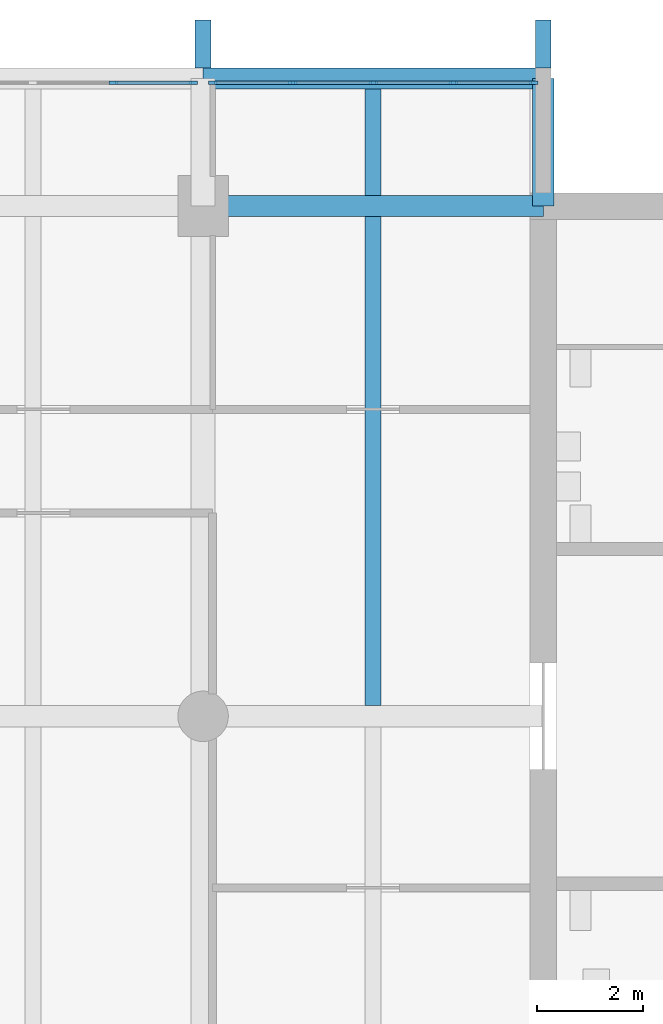
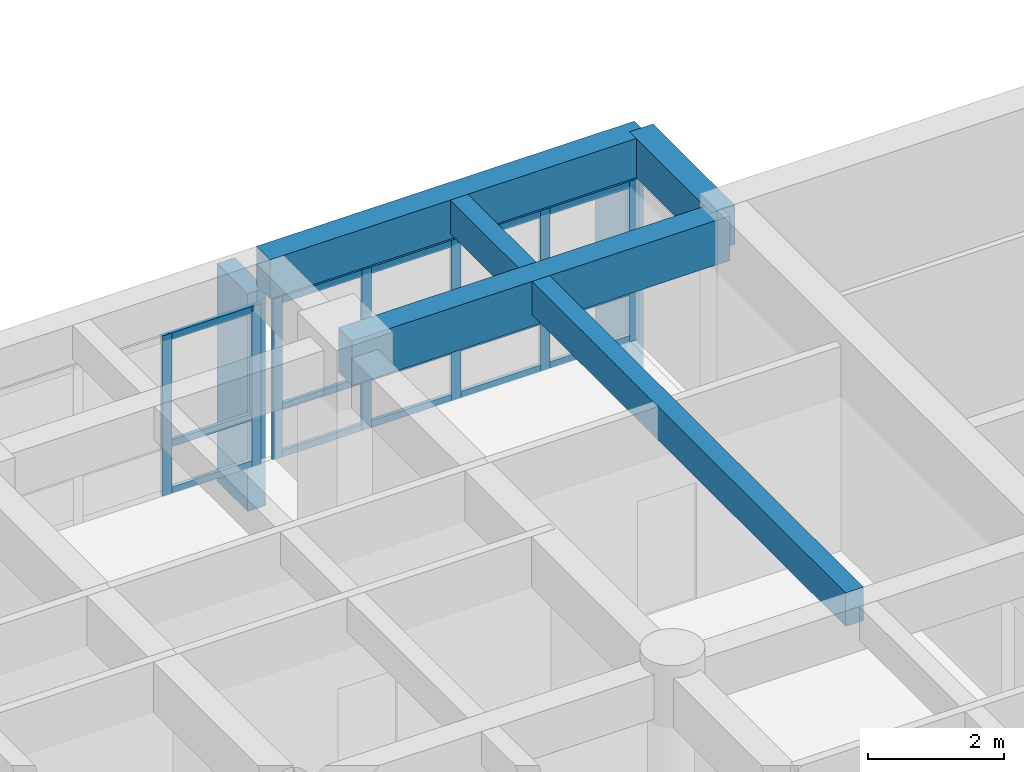
# One storey, part 6 of 15: 24 members, 5 beams, 2 elements without a shape of their own.
"""IFC4 building model written with IfcOpenShell, lengths in metres."""

import ifcopenshell
import ifcopenshell.guid

model = None  # the IFC model being written
_history = None  # IfcOwnerHistory: only IFC2X3 demands one
_inside = {}  # id of a spatial element -> (the spatial element, [elements in it])
_under = {}  # id of a project, library or spatial element -> (it, [spatial elements below it])
_declared = {}  # id of a project -> (the project, [libraries it declares])
_typed = {}  # id of a type object -> (the type object, [elements of that type])
_made_of = {}  # id of a material, layer set ... -> (it, [elements and type objects made of it])


def new_model(schema):
    """Start an empty IFC model of exactly this schema.

    Asked for "IFC4X3", IfcOpenShell would pick the latest addendum, in which some entities
    have other attributes; the version numbers below select the first issue.
    IFC2X3 requires an IfcOwnerHistory on every rooted entity: one is made here for all.
    """
    global model, _history
    if schema == "IFC4X3":
        model = ifcopenshell.file(schema_version=(4, 3, 0, 0))
    else:
        model = ifcopenshell.file(schema=schema)
    _inside.clear()
    _under.clear()
    _declared.clear()
    _typed.clear()
    _made_of.clear()
    _history = None
    if model.schema == "IFC2X3":
        org = make("IfcOrganization", Name="unknown")
        user = make(
            "IfcPersonAndOrganization",
            ThePerson=make("IfcPerson", FamilyName="unknown"),
            TheOrganization=org,
        )
        app = make(
            "IfcApplication",
            ApplicationDeveloper=org,
            Version="unknown",
            ApplicationFullName="unknown",
            ApplicationIdentifier="unknown",
        )
        _history = make(
            "IfcOwnerHistory",
            OwningUser=user,
            OwningApplication=app,
            ChangeAction="ADDED",
            CreationDate=0,
        )
    return model


def make(cls, **values):
    """One entity of the class cls with the attributes given. An attribute that is None is left unset."""
    return model.create_entity(
        cls, **{name: value for name, value in values.items() if value is not None}
    )


def rooted(cls, **values):
    """An entity with a GlobalId (a new one), such as an element, a storey or a relation."""
    return make(cls, GlobalId=ifcopenshell.guid.new(), OwnerHistory=_history, **values)


def si_unit(unit_type, name, prefix=None):
    """IfcSIUnit, for example si_unit("LENGTHUNIT", "METRE", prefix="MILLI")."""
    return make("IfcSIUnit", UnitType=unit_type, Prefix=prefix, Name=name)


def assignment(units):
    """IfcUnitAssignment: the units of a project."""
    return None if units is None else make("IfcUnitAssignment", Units=units)


def point(xyz):
    """IfcCartesianPoint."""
    return None if xyz is None else make("IfcCartesianPoint", Coordinates=xyz)


def direction(xyz):
    """IfcDirection."""
    return None if xyz is None else make("IfcDirection", DirectionRatios=xyz)


def frame(location, z_axis=None, x_axis=None):
    """IfcAxis2Placement3D, a coordinate frame: its origin and axes. An axis left out is left unset."""
    return make(
        "IfcAxis2Placement3D",
        Location=point(location),
        Axis=direction(z_axis),
        RefDirection=direction(x_axis),
    )


def frame_2d(location, x_axis=None):
    """IfcAxis2Placement2D, a coordinate frame in the plane: its origin and x axis."""
    return make(
        "IfcAxis2Placement2D", Location=point(location), RefDirection=direction(x_axis)
    )


def origin():
    """The frame at (0, 0, 0) with its axes left unset."""
    return frame((0.0, 0.0, 0.0))


def origin_2d():
    """The frame at (0, 0) in the plane with its x axis left unset."""
    return frame_2d((0.0, 0.0))


def place(relative_to, where):
    """IfcLocalPlacement: puts the frame where relative to a parent placement (None: the world)."""
    return make(
        "IfcLocalPlacement", PlacementRelTo=relative_to, RelativePlacement=where
    )


def context(
    kind, dimensions, precision=None, world=None, true_north=None, identifier=None
):
    """IfcGeometricRepresentationContext, for example the 3D "Model" context."""
    return make(
        "IfcGeometricRepresentationContext",
        ContextIdentifier=identifier,
        ContextType=kind,
        CoordinateSpaceDimension=dimensions,
        Precision=precision,
        WorldCoordinateSystem=world,
        TrueNorth=true_north,
    )


def subcontext(parent, identifier, kind, view, scale=None):
    """IfcGeometricRepresentationSubContext, for example "Body" below "Model"."""
    return make(
        "IfcGeometricRepresentationSubContext",
        ContextIdentifier=identifier,
        ContextType=kind,
        ParentContext=parent,
        TargetScale=scale,
        TargetView=view,
    )


def project(units=None, contexts=None):
    """IfcProject with its units and contexts."""
    return rooted(
        "IfcProject",
        Name="project",
        RepresentationContexts=contexts,
        UnitsInContext=assignment(units),
    )


def spatial(cls, under=None, at=None, **own):
    """A site, building, storey or space (cls), placed at a placement, below another one or the project."""
    s = rooted(cls, ObjectPlacement=at, **own)
    if under is not None:
        _under.setdefault(under.id(), (under, []))[1].append(s)
    return s


def profile(cls, at=None, kind="AREA", **sizes):
    """A parametric profile (cls). Its sizes go by their IFC names, for example OverallWidth=200.0."""
    return make(cls, ProfileType=kind, Position=at, **sizes)


def rectangle(**sizes):
    """IfcRectangleProfileDef."""
    return profile("IfcRectangleProfileDef", **sizes)


def extrude(swept, where, along, depth):
    """IfcExtrudedAreaSolid: the profile swept, set in the frame where, extruded along a direction by depth."""
    return make(
        "IfcExtrudedAreaSolid",
        SweptArea=swept,
        Position=where,
        ExtrudedDirection=direction(along),
        Depth=depth,
    )


def shape(context_of_items, identifier, shape_type, items):
    """IfcShapeRepresentation: the items that make up one representation, for example the "Body"."""
    return make(
        "IfcShapeRepresentation",
        ContextOfItems=context_of_items,
        RepresentationIdentifier=identifier,
        RepresentationType=shape_type,
        Items=items,
    )


def material(Name=None, Category=None):
    """IfcMaterial."""
    return make("IfcMaterial", Name=Name, Category=Category)


def layer(
    of_material, thickness, ventilated=None, Name=None, Category=None, Priority=None
):
    """IfcMaterialLayer: one layer of a wall or slab, of a material (None: an air gap)."""
    return make(
        "IfcMaterialLayer",
        Material=of_material,
        LayerThickness=thickness,
        IsVentilated=ventilated,
        Name=Name,
        Category=Category,
        Priority=Priority,
    )


def layer_set(layers, Name=None):
    """IfcMaterialLayerSet."""
    return make("IfcMaterialLayerSet", MaterialLayers=layers, LayerSetName=Name)


def material_profile(
    of_material, cross_section, Name=None, Category=None, Priority=None
):
    """IfcMaterialProfile: a cross section and its material."""
    return make(
        "IfcMaterialProfile",
        Name=Name,
        Material=of_material,
        Profile=cross_section,
        Priority=Priority,
        Category=Category,
    )


def profile_set(profiles, Name=None, composite=None):
    """IfcMaterialProfileSet."""
    return make(
        "IfcMaterialProfileSet",
        Name=Name,
        MaterialProfiles=profiles,
        CompositeProfile=composite,
    )


def made_of(thing, what):
    """Note that an element or type object is made of a material, layer set ...; save() writes the relation."""
    if what is not None:
        _made_of.setdefault(what.id(), (what, []))[1].append(thing)
    return thing


def type_object(cls, material=None, **own):
    """A type object (cls), such as IfcWallType, which elements share."""
    return made_of(rooted(cls, **own), material)


def element(
    cls,
    number,
    at=None,
    inside=None,
    cuts=None,
    type_object=None,
    material=None,
    context=None,
    identifier="Body",
    shape_type=None,
    held_by="IfcProductDefinitionShape",
    body=None,
    shapes=None,
    **own,
):
    """One element of the class cls, such as IfcWall. Its Tag is "e" and its number.

    at: its placement. inside: the storey or other place that contains it. cuts: it is an
    opening in that element (IfcRelVoidsElement). A single representation is given by context,
    identifier, shape_type and body (its items); several are given by shapes. held_by: the class
    of the entity that holds the representations. save() writes the other relations.
    """
    e = rooted(cls, Tag="e%d" % number, ObjectPlacement=at, **own)
    if body is not None:
        shapes = [shape(context, identifier, shape_type, body)]
    if shapes is not None:
        e.Representation = make(held_by, Representations=shapes)
    if inside is not None:
        _inside.setdefault(inside.id(), (inside, []))[1].append(e)
    if cuts is not None:
        rooted(
            "IfcRelVoidsElement", RelatingBuildingElement=cuts, RelatedOpeningElement=e
        )
    if type_object is not None:
        _typed.setdefault(type_object.id(), (type_object, []))[1].append(e)
    return made_of(e, material)


def aggregate(whole, parts):
    """IfcRelAggregates: a whole, such as a stair, and the parts it consists of."""
    return rooted("IfcRelAggregates", RelatingObject=whole, RelatedObjects=parts)


def save(model, path):
    """Write the relations noted so far, then the file.

    IfcRelAggregates (storeys below a building ...), IfcRelContainedInSpatialStructure (elements
    in a storey), IfcRelDefinesByType, IfcRelAssociatesMaterial and IfcRelDeclares: one each for
    every whole, place, type object, material and project.
    """
    for whole, parts in _under.values():
        aggregate(whole, parts)
    for where, things in _inside.values():
        rooted(
            "IfcRelContainedInSpatialStructure",
            RelatedElements=things,
            RelatingStructure=where,
        )
    for kind, things in _typed.values():
        rooted("IfcRelDefinesByType", RelatedObjects=things, RelatingType=kind)
    for what, things in _made_of.values():
        rooted("IfcRelAssociatesMaterial", RelatedObjects=things, RelatingMaterial=what)
    for by, libraries in _declared.values():
        rooted("IfcRelDeclares", RelatingContext=by, RelatedDefinitions=libraries)
    model.write(path)


model = new_model("IFC4")

# Units and contexts
model_context = context("Model", 3, precision=1e-05, world=origin(), true_north=direction((0.0, 1.0)))
body_context = subcontext(model_context, "Body", "Model", "MODEL_VIEW")
ifc_project = project(units=[si_unit("LENGTHUNIT", "METRE"), si_unit("AREAUNIT", "SQUARE_METRE"), si_unit("VOLUMEUNIT", "CUBIC_METRE"), si_unit("PLANEANGLEUNIT", "RADIAN"), si_unit("MASSUNIT", "GRAM", prefix="KILO")], contexts=[model_context])

# Site, building, storey
site_placement = place(None, origin())
site = spatial("IfcSite", under=ifc_project, at=site_placement, CompositionType="ELEMENT")
building_placement = place(site_placement, origin())
building = spatial("IfcBuilding", under=site, at=building_placement, Name="Fogon Plaza Fire Station and Headquarters Tower", CompositionType="ELEMENT")
storey_placement = place(building_placement, frame((0.0, 0.0, 40.5)))
storey = spatial("IfcBuildingStorey", under=building, at=storey_placement, Name="L10", CompositionType="ELEMENT", Elevation=40.5)

# Beams
ifc_material_1 = material(Name="Concrete C40", Category="concrete")
ifc_material_profile_1 = material_profile(ifc_material_1, rectangle(XDim=0.39990234375, YDim=0.699951171875, at=origin_2d()), Name="RC 400x700")
ifc_profile_set_1 = profile_set([ifc_material_profile_1], Name="Concrete C40")
beam_type_1 = type_object("IfcBeamType", Name="BEAM RC 400x700", PredefinedType="BEAM", material=ifc_profile_set_1)
beam_1_placement = place(storey_placement, frame((57.60009765625, 55.199951171875, 3.330078125), z_axis=(1.0, 0.0, 0.0), x_axis=(0.0, 1.0, 0.0)))
element("IfcBeam", 1, at=beam_1_placement, inside=storey, type_object=beam_type_1, Name="beam-L10-050", PredefinedType="BEAM", context=body_context, shape_type="SweptSolid", body=[
    extrude(rectangle(XDim=0.39990234375, YDim=0.699951171875, at=origin_2d()), origin(), (0.0, 0.0, 1.0), 6.39990234375),
])
ifc_material_2 = material(Name="Concrete C40", Category="concrete")
ifc_material_profile_2 = material_profile(ifc_material_2, rectangle(XDim=0.39990234375, YDim=0.699951171875, at=origin_2d()), Name="RC 400x700")
ifc_profile_set_2 = profile_set([ifc_material_profile_2], Name="Concrete C40")
beam_type_2 = type_object("IfcBeamType", Name="BEAM RC 400x700 SPAN 0.0 TO 3.0 M", PredefinedType="BEAM", material=ifc_profile_set_2)
beam_2_placement = place(storey_placement, frame((64.0, 52.800048828125, 3.330078125), z_axis=(0.0, 1.0, 0.0), x_axis=(-1.0, 0.0, 0.0)))
element("IfcBeam", 2, at=beam_2_placement, inside=storey, type_object=beam_type_2, Name="beam-L10-054", PredefinedType="BEAM", context=body_context, shape_type="SweptSolid", body=[
    extrude(rectangle(XDim=0.39990234375, YDim=0.699951171875, at=origin_2d()), origin(), (0.0, 0.0, 1.0), 2.39990234375),
])
ifc_material_3 = material(Name="Concrete C40", Category="concrete")
ifc_material_profile_3 = material_profile(ifc_material_3, rectangle(XDim=0.39990234375, YDim=0.800048828125, at=origin_2d()), Name="RC 400x800")
ifc_profile_set_3 = profile_set([ifc_material_profile_3], Name="Concrete C40")
beam_type_3 = type_object("IfcBeamType", Name="BEAM RC 400x800", PredefinedType="BEAM", material=ifc_profile_set_3)
beam_3_placement = place(storey_placement, frame((57.60009765625, 52.800048828125, 3.280029296875), z_axis=(1.0, 0.0, 0.0), x_axis=(0.0, 1.0, 0.0)))
element("IfcBeam", 3, at=beam_3_placement, inside=storey, type_object=beam_type_3, Name="beam-L10-038", PredefinedType="BEAM", context=body_context, shape_type="SweptSolid", body=[
    extrude(rectangle(XDim=0.39990234375, YDim=0.800048828125, at=origin_2d()), origin(), (0.0, 0.0, 1.0), 6.39990234375),
])

# Curtain wall, members
ifc_material_4 = material(Name="Aluminium and glass", Category="aluminium")
ifc_layer = layer(ifc_material_4, 0.14990234375)
ifc_layer_set = layer_set([ifc_layer], Name="Aluminium and glass")
curtain_wall_type = type_object("IfcCurtainWallType", Name="Unitised Curtain Wall Run 6100x2880", PredefinedType="NOTDEFINED", material=ifc_layer_set)
curtain_wall_1_placement = place(storey_placement, origin())
curtain_wall_1 = element("IfcCurtainWall", 4, at=curtain_wall_1_placement, inside=storey, type_object=curtain_wall_type, Name="CW-6100x2880 N5 L10", PredefinedType="NOTDEFINED")
ifc_material_5 = material(Name="Aluminium", Category="aluminium")
ifc_material_profile_4 = material_profile(ifc_material_5, rectangle(XDim=0.06005859375, YDim=0.159912109375, at=origin_2d()), Name="Curtain Wall Mullion 60x160")
ifc_profile_set_4 = profile_set([ifc_material_profile_4], Name="Aluminium")
member_type_1 = type_object("IfcMemberType", Name="Curtain Wall Mullion 60x160", PredefinedType="MULLION", material=ifc_profile_set_4)
member_1_placement = place(storey_placement, frame((55.909912109375, 55.1201171875, 0.0), z_axis=(0.0, 0.0, 1.0), x_axis=(0.0, 1.0, 0.0)))
member_1 = element("IfcMember", 5, at=member_1_placement, type_object=member_type_1, Name="CW-6100x2880 mullion 4", PredefinedType="MULLION", context=body_context, shape_type="SweptSolid", body=[
    extrude(rectangle(XDim=0.06005859375, YDim=0.159912109375, at=origin_2d()), origin(), (0.0, 0.0, 1.0), 2.8798828125),
])
member_2_placement = place(storey_placement, frame((57.419921875, 55.1201171875, 0.0), z_axis=(0.0, 0.0, 1.0), x_axis=(0.0, 1.0, 0.0)))
member_2 = element("IfcMember", 6, at=member_2_placement, type_object=member_type_1, Name="CW-6100x2880 mullion 5", PredefinedType="MULLION", context=body_context, shape_type="SweptSolid", body=[
    extrude(rectangle(XDim=0.06005859375, YDim=0.159912109375, at=origin_2d()), origin(), (0.0, 0.0, 1.0), 2.8798828125),
])

curtain_wall_2_placement = place(storey_placement, origin())
curtain_wall_2 = element("IfcCurtainWall", 7, at=curtain_wall_2_placement, inside=storey, type_object=curtain_wall_type, Name="CW-6100x2880 N6 L10", PredefinedType="NOTDEFINED")
member_3_placement = place(storey_placement, frame((57.780029296875, 55.1201171875, 0.0), z_axis=(0.0, 0.0, 1.0), x_axis=(0.0, 1.0, 0.0)))
member_3 = element("IfcMember", 8, at=member_3_placement, type_object=member_type_1, Name="CW-6100x2880 mullion 1", PredefinedType="MULLION", context=body_context, shape_type="SweptSolid", body=[
    extrude(rectangle(XDim=0.06005859375, YDim=0.159912109375, at=origin_2d()), origin(), (0.0, 0.0, 1.0), 2.8798828125),
])
member_4_placement = place(storey_placement, frame((59.2900390625, 55.1201171875, 0.0), z_axis=(0.0, 0.0, 1.0), x_axis=(0.0, 1.0, 0.0)))
member_4 = element("IfcMember", 9, at=member_4_placement, type_object=member_type_1, Name="CW-6100x2880 mullion 2", PredefinedType="MULLION", context=body_context, shape_type="SweptSolid", body=[
    extrude(rectangle(XDim=0.06005859375, YDim=0.159912109375, at=origin_2d()), origin(), (0.0, 0.0, 1.0), 2.8798828125),
])
member_5_placement = place(storey_placement, frame((60.800048828125, 55.1201171875, 0.0), z_axis=(0.0, 0.0, 1.0), x_axis=(0.0, 1.0, 0.0)))
member_5 = element("IfcMember", 10, at=member_5_placement, type_object=member_type_1, Name="CW-6100x2880 mullion 3", PredefinedType="MULLION", context=body_context, shape_type="SweptSolid", body=[
    extrude(rectangle(XDim=0.06005859375, YDim=0.159912109375, at=origin_2d()), origin(), (0.0, 0.0, 1.0), 2.8798828125),
])
member_6_placement = place(storey_placement, frame((62.31005859375, 55.1201171875, 0.0), z_axis=(0.0, 0.0, 1.0), x_axis=(0.0, 1.0, 0.0)))
member_6 = element("IfcMember", 11, at=member_6_placement, type_object=member_type_1, Name="CW-6100x2880 mullion 4", PredefinedType="MULLION", context=body_context, shape_type="SweptSolid", body=[
    extrude(rectangle(XDim=0.06005859375, YDim=0.159912109375, at=origin_2d()), origin(), (0.0, 0.0, 1.0), 2.8798828125),
])
member_7_placement = place(storey_placement, frame((63.820068359375, 55.1201171875, 0.0), z_axis=(0.0, 0.0, 1.0), x_axis=(0.0, 1.0, 0.0)))
member_7 = element("IfcMember", 12, at=member_7_placement, type_object=member_type_1, Name="CW-6100x2880 mullion 5", PredefinedType="MULLION", context=body_context, shape_type="SweptSolid", body=[
    extrude(rectangle(XDim=0.06005859375, YDim=0.159912109375, at=origin_2d()), origin(), (0.0, 0.0, 1.0), 2.8798828125),
])

# Member
ifc_material_6 = material(Name="Aluminium", Category="aluminium")
ifc_material_profile_5 = material_profile(ifc_material_6, rectangle(XDim=0.06005859375, YDim=0.1201171875, at=origin_2d()), Name="Curtain Wall Transom 60x120")
ifc_profile_set_5 = profile_set([ifc_material_profile_5], Name="Aluminium")
member_type_2 = type_object("IfcMemberType", Name="Curtain Wall Transom 60x120", PredefinedType="USERDEFINED", material=ifc_profile_set_5)
member_8_placement = place(storey_placement, frame((55.93994140625, 55.1201171875, 0.06005859375), z_axis=(1.0, 0.0, 0.0), x_axis=(0.0, 1.0, 0.0)))
member_8 = element("IfcMember", 13, at=member_8_placement, type_object=member_type_2, Name="CW-6100x2880 transom 4.1", ObjectType="TRANSOM", PredefinedType="USERDEFINED", context=body_context, shape_type="SweptSolid", body=[
    extrude(rectangle(XDim=0.06005859375, YDim=0.1201171875, at=origin_2d()), origin(), (0.0, 0.0, 1.0), 1.449951171875),
])

member_9_placement = place(storey_placement, frame((55.93994140625, 55.1201171875, 0.89990234375), z_axis=(1.0, 0.0, 0.0), x_axis=(0.0, 1.0, 0.0)))
member_9 = element("IfcMember", 14, at=member_9_placement, type_object=member_type_2, Name="CW-6100x2880 transom 4.2", ObjectType="TRANSOM", PredefinedType="USERDEFINED", context=body_context, shape_type="SweptSolid", body=[
    extrude(rectangle(XDim=0.06005859375, YDim=0.1201171875, at=origin_2d()), origin(), (0.0, 0.0, 1.0), 1.449951171875),
])

member_10_placement = place(storey_placement, frame((55.93994140625, 55.1201171875, 2.820068359375), z_axis=(1.0, 0.0, 0.0), x_axis=(0.0, 1.0, 0.0)))
member_10 = element("IfcMember", 15, at=member_10_placement, type_object=member_type_2, Name="CW-6100x2880 transom 4.3", ObjectType="TRANSOM", PredefinedType="USERDEFINED", context=body_context, shape_type="SweptSolid", body=[
    extrude(rectangle(XDim=0.06005859375, YDim=0.1201171875, at=origin_2d()), origin(), (0.0, 0.0, 1.0), 1.449951171875),
])

aggregate(curtain_wall_1, [member_1, member_2, member_8, member_9, member_10])

member_11_placement = place(storey_placement, frame((57.81005859375, 55.1201171875, 0.06005859375), z_axis=(1.0, 0.0, 0.0), x_axis=(0.0, 1.0, 0.0)))
member_11 = element("IfcMember", 16, at=member_11_placement, type_object=member_type_2, Name="CW-6100x2880 transom 1.1", ObjectType="TRANSOM", PredefinedType="USERDEFINED", context=body_context, shape_type="SweptSolid", body=[
    extrude(rectangle(XDim=0.06005859375, YDim=0.1201171875, at=origin_2d()), origin(), (0.0, 0.0, 1.0), 1.449951171875),
])

member_12_placement = place(storey_placement, frame((57.81005859375, 55.1201171875, 0.89990234375), z_axis=(1.0, 0.0, 0.0), x_axis=(0.0, 1.0, 0.0)))
member_12 = element("IfcMember", 17, at=member_12_placement, type_object=member_type_2, Name="CW-6100x2880 transom 1.2", ObjectType="TRANSOM", PredefinedType="USERDEFINED", context=body_context, shape_type="SweptSolid", body=[
    extrude(rectangle(XDim=0.06005859375, YDim=0.1201171875, at=origin_2d()), origin(), (0.0, 0.0, 1.0), 1.449951171875),
])

member_13_placement = place(storey_placement, frame((57.81005859375, 55.1201171875, 2.820068359375), z_axis=(1.0, 0.0, 0.0), x_axis=(0.0, 1.0, 0.0)))
member_13 = element("IfcMember", 18, at=member_13_placement, type_object=member_type_2, Name="CW-6100x2880 transom 1.3", ObjectType="TRANSOM", PredefinedType="USERDEFINED", context=body_context, shape_type="SweptSolid", body=[
    extrude(rectangle(XDim=0.06005859375, YDim=0.1201171875, at=origin_2d()), origin(), (0.0, 0.0, 1.0), 1.449951171875),
])

member_14_placement = place(storey_placement, frame((59.320068359375, 55.1201171875, 0.06005859375), z_axis=(1.0, 0.0, 0.0), x_axis=(0.0, 1.0, 0.0)))
member_14 = element("IfcMember", 19, at=member_14_placement, type_object=member_type_2, Name="CW-6100x2880 transom 2.1", ObjectType="TRANSOM", PredefinedType="USERDEFINED", context=body_context, shape_type="SweptSolid", body=[
    extrude(rectangle(XDim=0.06005859375, YDim=0.1201171875, at=origin_2d()), origin(), (0.0, 0.0, 1.0), 1.449951171875),
])

member_15_placement = place(storey_placement, frame((59.320068359375, 55.1201171875, 0.89990234375), z_axis=(1.0, 0.0, 0.0), x_axis=(0.0, 1.0, 0.0)))
member_15 = element("IfcMember", 20, at=member_15_placement, type_object=member_type_2, Name="CW-6100x2880 transom 2.2", ObjectType="TRANSOM", PredefinedType="USERDEFINED", context=body_context, shape_type="SweptSolid", body=[
    extrude(rectangle(XDim=0.06005859375, YDim=0.1201171875, at=origin_2d()), origin(), (0.0, 0.0, 1.0), 1.449951171875),
])

member_16_placement = place(storey_placement, frame((59.320068359375, 55.1201171875, 2.820068359375), z_axis=(1.0, 0.0, 0.0), x_axis=(0.0, 1.0, 0.0)))
member_16 = element("IfcMember", 21, at=member_16_placement, type_object=member_type_2, Name="CW-6100x2880 transom 2.3", ObjectType="TRANSOM", PredefinedType="USERDEFINED", context=body_context, shape_type="SweptSolid", body=[
    extrude(rectangle(XDim=0.06005859375, YDim=0.1201171875, at=origin_2d()), origin(), (0.0, 0.0, 1.0), 1.449951171875),
])

member_17_placement = place(storey_placement, frame((60.830078125, 55.1201171875, 0.06005859375), z_axis=(1.0, 0.0, 0.0), x_axis=(0.0, 1.0, 0.0)))
member_17 = element("IfcMember", 22, at=member_17_placement, type_object=member_type_2, Name="CW-6100x2880 transom 3.1", ObjectType="TRANSOM", PredefinedType="USERDEFINED", context=body_context, shape_type="SweptSolid", body=[
    extrude(rectangle(XDim=0.06005859375, YDim=0.1201171875, at=origin_2d()), origin(), (0.0, 0.0, 1.0), 1.449951171875),
])

member_18_placement = place(storey_placement, frame((60.830078125, 55.1201171875, 0.89990234375), z_axis=(1.0, 0.0, 0.0), x_axis=(0.0, 1.0, 0.0)))
member_18 = element("IfcMember", 23, at=member_18_placement, type_object=member_type_2, Name="CW-6100x2880 transom 3.2", ObjectType="TRANSOM", PredefinedType="USERDEFINED", context=body_context, shape_type="SweptSolid", body=[
    extrude(rectangle(XDim=0.06005859375, YDim=0.1201171875, at=origin_2d()), origin(), (0.0, 0.0, 1.0), 1.449951171875),
])

member_19_placement = place(storey_placement, frame((60.830078125, 55.1201171875, 2.820068359375), z_axis=(1.0, 0.0, 0.0), x_axis=(0.0, 1.0, 0.0)))
member_19 = element("IfcMember", 24, at=member_19_placement, type_object=member_type_2, Name="CW-6100x2880 transom 3.3", ObjectType="TRANSOM", PredefinedType="USERDEFINED", context=body_context, shape_type="SweptSolid", body=[
    extrude(rectangle(XDim=0.06005859375, YDim=0.1201171875, at=origin_2d()), origin(), (0.0, 0.0, 1.0), 1.449951171875),
])

member_20_placement = place(storey_placement, frame((62.340087890625, 55.1201171875, 0.06005859375), z_axis=(1.0, 0.0, 0.0), x_axis=(0.0, 1.0, 0.0)))
member_20 = element("IfcMember", 25, at=member_20_placement, type_object=member_type_2, Name="CW-6100x2880 transom 4.1", ObjectType="TRANSOM", PredefinedType="USERDEFINED", context=body_context, shape_type="SweptSolid", body=[
    extrude(rectangle(XDim=0.06005859375, YDim=0.1201171875, at=origin_2d()), origin(), (0.0, 0.0, 1.0), 1.449951171875),
])

member_21_placement = place(storey_placement, frame((62.340087890625, 55.1201171875, 0.89990234375), z_axis=(1.0, 0.0, 0.0), x_axis=(0.0, 1.0, 0.0)))
member_21 = element("IfcMember", 26, at=member_21_placement, type_object=member_type_2, Name="CW-6100x2880 transom 4.2", ObjectType="TRANSOM", PredefinedType="USERDEFINED", context=body_context, shape_type="SweptSolid", body=[
    extrude(rectangle(XDim=0.06005859375, YDim=0.1201171875, at=origin_2d()), origin(), (0.0, 0.0, 1.0), 1.449951171875),
])

member_22_placement = place(storey_placement, frame((62.340087890625, 55.1201171875, 2.820068359375), z_axis=(1.0, 0.0, 0.0), x_axis=(0.0, 1.0, 0.0)))
member_22 = element("IfcMember", 27, at=member_22_placement, type_object=member_type_2, Name="CW-6100x2880 transom 4.3", ObjectType="TRANSOM", PredefinedType="USERDEFINED", context=body_context, shape_type="SweptSolid", body=[
    extrude(rectangle(XDim=0.06005859375, YDim=0.1201171875, at=origin_2d()), origin(), (0.0, 0.0, 1.0), 1.449951171875),
])

aggregate(curtain_wall_2, [member_3, member_4, member_5, member_6, member_7, member_11, member_12, member_13, member_14, member_15, member_16, member_17, member_18, member_19, member_20, member_21, member_22])

# Beams
ifc_material_7 = material(Name="Concrete C40", Category="concrete")
ifc_material_profile_6 = material_profile(ifc_material_7, rectangle(XDim=0.300048828125, YDim=0.60009765625, at=origin_2d()), Name="RC 300x600")
ifc_profile_set_6 = profile_set([ifc_material_profile_6], Name="Concrete C40")
beam_type_4 = type_object("IfcBeamType", Name="JOIST RC 300x600", PredefinedType="JOIST", material=ifc_profile_set_6)
beam_4_placement = place(storey_placement, frame((60.800048828125, 43.39990234375, 3.3798828125), z_axis=(0.0, 1.0, 0.0), x_axis=(-1.0, 0.0, 0.0)))
element("IfcBeam", 28, at=beam_4_placement, inside=storey, type_object=beam_type_4, Name="beam-L10-077", PredefinedType="JOIST", context=body_context, shape_type="SweptSolid", body=[
    extrude(rectangle(XDim=0.300048828125, YDim=0.60009765625, at=origin_2d()), origin(), (0.0, 0.0, 1.0), 9.2001953125),
])
ifc_material_8 = material(Name="Concrete C40", Category="concrete")
ifc_material_profile_7 = material_profile(ifc_material_8, rectangle(XDim=0.300048828125, YDim=0.60009765625, at=origin_2d()), Name="RC 300x600")
ifc_profile_set_7 = profile_set([ifc_material_profile_7], Name="Concrete C40")
beam_type_5 = type_object("IfcBeamType", Name="JOIST RC 300x600 SPAN 0.0 TO 3.0 M", PredefinedType="JOIST", material=ifc_profile_set_7)
beam_5_placement = place(storey_placement, frame((60.800048828125, 53.0, 3.3798828125), z_axis=(0.0, 1.0, 0.0), x_axis=(-1.0, 0.0, 0.0)))
element("IfcBeam", 29, at=beam_5_placement, inside=storey, type_object=beam_type_5, Name="beam-L10-078", PredefinedType="JOIST", context=body_context, shape_type="SweptSolid", body=[
    extrude(rectangle(XDim=0.300048828125, YDim=0.60009765625, at=origin_2d()), origin(), (0.0, 0.0, 1.0), 2.0),
])

# Members
ifc_material_9 = material(Name="Concrete C40 precast", Category="concrete")
ifc_material_profile_8 = material_profile(ifc_material_9, rectangle(XDim=0.300048828125, YDim=0.89990234375, at=origin_2d()), Name="Precast Concrete Post 300x900")
ifc_profile_set_8 = profile_set([ifc_material_profile_8], Name="Concrete C40 precast")
member_type_3 = type_object("IfcMemberType", Name="Precast Concrete Post 300x900", PredefinedType="POST", material=ifc_profile_set_8)
for number, where, z_axis, x_axis, name in (
    (30, (57.60009765625, 55.85009765625, -1.02001953125), (0.0, 0.0, 1.0), (1.0, 0.0, 0.0), "Precast Post N L10"),
    (31, (64.0, 55.85009765625, -1.02001953125), (0.0, 0.0, 1.0), (1.0, 0.0, 0.0), "Precast Post N L10"),
):
    element("IfcMember", number, at=place(storey_placement, frame(where, z_axis=z_axis, x_axis=x_axis)), inside=storey, type_object=member_type_3, Name=name, PredefinedType="POST", context=body_context, shape_type="SweptSolid", body=[
        extrude(rectangle(XDim=0.300048828125, YDim=0.89990234375, at=origin_2d()), origin(), (0.0, 0.0, 1.0), 3.89990234375),
    ])

save(model, "model.ifc")
